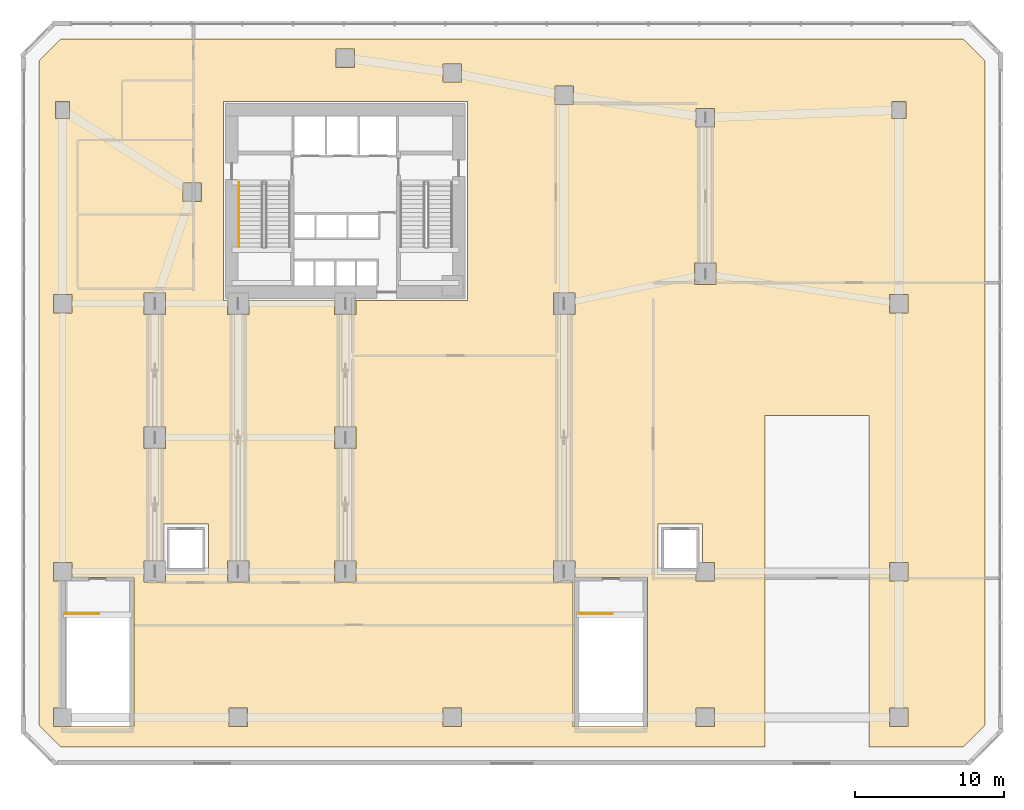
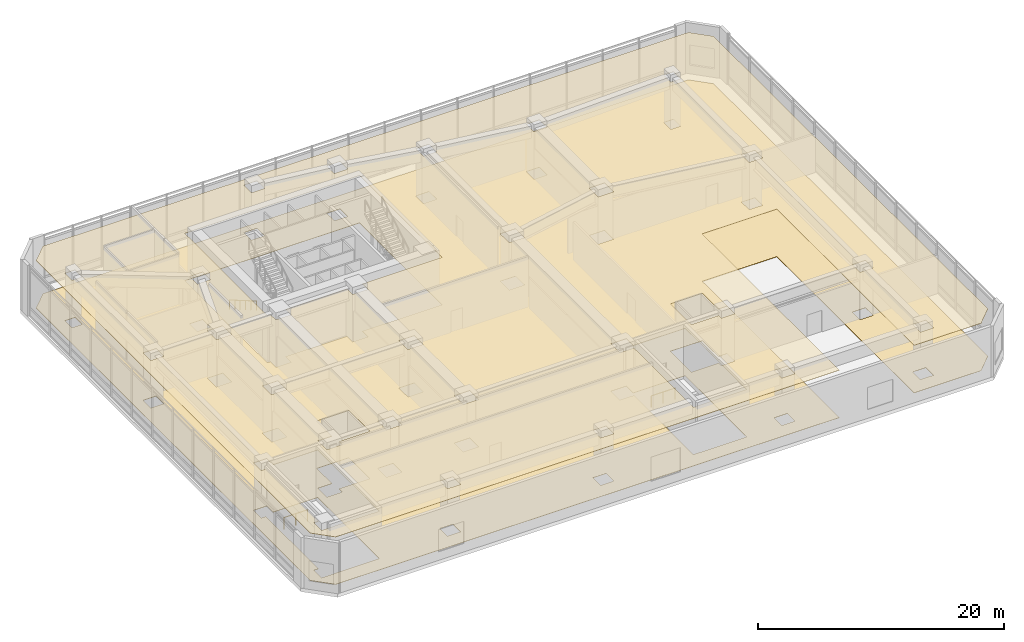
# One storey, part 20 of 21: 3 railings, 2 coverings.
"""IFC4 building model written with IfcOpenShell, lengths in metres."""

from ifc_helpers import new_model, si_unit, direction, frame, origin, origin_2d, place, context, subcontext, project, spatial, polyline, circle, outline, extrude, material, layer, layer_set, type_object, element, save


model = new_model("IFC4")

# Units and contexts
model_context = context("Model", 3, precision=1e-05, world=origin(), true_north=direction((0.0, 1.0)))
body_context = subcontext(model_context, "Body", "Model", "MODEL_VIEW")
ifc_project = project(units=[si_unit("LENGTHUNIT", "METRE"), si_unit("AREAUNIT", "SQUARE_METRE"), si_unit("VOLUMEUNIT", "CUBIC_METRE"), si_unit("PLANEANGLEUNIT", "RADIAN"), si_unit("MASSUNIT", "GRAM", prefix="KILO")], contexts=[model_context])

# Site, building, storey
site_placement = place(None, origin())
site = spatial("IfcSite", under=ifc_project, at=site_placement, CompositionType="ELEMENT")
building_placement = place(site_placement, origin())
building = spatial("IfcBuilding", under=site, at=building_placement, Name="Calvemar Wedge Station Tower", CompositionType="ELEMENT")
storey_placement = place(building_placement, frame((0.0, 0.0, 21.60009765625)))
storey = spatial("IfcBuildingStorey", under=building, at=storey_placement, Name="L05", CompositionType="ELEMENT", Elevation=21.60009765625)

# Coverings
ifc_material_1 = material(Name="Acoustic mineral fibre ceiling board")
ifc_layer_1 = layer(ifc_material_1, 0.0400390625)
ifc_layer_set_1 = layer_set([ifc_layer_1], Name="Acoustic mineral fibre ceiling board")
covering_type_1 = type_object("IfcCoveringType", Name="COV-CEIL-ACOUSTIC", PredefinedType="CEILING", material=ifc_layer_set_1)
covering_1_placement = place(storey_placement, frame((0.0, 0.0, 4.699951171875)))
element("IfcCovering", 1, at=covering_1_placement, inside=storey, type_object=covering_type_1, Name="Storey L05 Acoustic Suspended Ceiling", PredefinedType="CEILING", context=body_context, shape_type="SweptSolid", body=[
    extrude(outline(polyline([(65.302978515625, 50.800048828125), (4.697021484375, 50.800048828125), (3.199951171875, 49.302978515625), (3.199951171875, 4.697021484375), (4.697021484375, 3.199951171875), (52.0, 3.199951171875), (52.0, 25.5), (59.0, 25.5), (59.0, 3.199951171875), (65.302978515625, 3.199951171875), (66.800048828125, 4.697021484375), (66.800048828125, 49.302978515625), (65.302978515625, 50.800048828125)]), holes=[polyline([(15.60009765625, 46.60009765625), (32.0, 46.60009765625), (32.0, 33.199951171875), (24.52001953125, 33.199951171875), (24.52001953125, 32.280029296875), (23.080078125, 32.280029296875), (23.080078125, 33.199951171875), (17.320068359375, 33.199951171875), (17.320068359375, 32.280029296875), (15.8798828125, 32.280029296875), (15.8798828125, 33.199951171875), (15.60009765625, 33.199951171875), (15.60009765625, 46.60009765625)]), polyline([(4.60009765625, 14.3798828125), (4.179931640625, 14.3798828125), (4.179931640625, 15.6201171875), (5.419921875, 15.6201171875), (5.419921875, 14.60009765625), (9.60009765625, 14.60009765625), (9.60009765625, 4.60009765625), (5.419921875, 4.60009765625), (5.419921875, 4.580078125), (4.179931640625, 4.580078125), (4.179931640625, 5.820068359375), (4.60009765625, 5.820068359375), (4.60009765625, 14.3798828125)]), polyline([(39.219970703125, 14.60009765625), (44.10009765625, 14.60009765625), (44.10009765625, 4.60009765625), (39.10009765625, 4.60009765625), (39.10009765625, 14.280029296875), (37.780029296875, 14.280029296875), (37.780029296875, 15.719970703125), (39.219970703125, 15.719970703125), (39.219970703125, 14.60009765625)]), polyline([(11.719970703125, 14.280029296875), (10.280029296875, 14.280029296875), (10.280029296875, 15.719970703125), (11.60009765625, 15.719970703125), (11.60009765625, 18.199951171875), (14.60009765625, 18.199951171875), (14.60009765625, 14.800048828125), (11.719970703125, 14.800048828125), (11.719970703125, 14.280029296875)]), polyline([(44.800048828125, 14.800048828125), (44.800048828125, 18.199951171875), (47.800048828125, 18.199951171875), (47.800048828125, 15.6201171875), (48.6201171875, 15.6201171875), (48.6201171875, 14.3798828125), (47.3798828125, 14.3798828125), (47.3798828125, 14.800048828125), (44.800048828125, 14.800048828125)]), polyline([(15.97998046875, 5.820068359375), (17.219970703125, 5.820068359375), (17.219970703125, 4.580078125), (15.97998046875, 4.580078125), (15.97998046875, 5.820068359375)]), polyline([(31.6201171875, 5.820068359375), (31.6201171875, 4.580078125), (30.3798828125, 4.580078125), (30.3798828125, 5.820068359375), (31.6201171875, 5.820068359375)]), polyline([(48.6201171875, 4.580078125), (47.3798828125, 4.580078125), (47.3798828125, 5.820068359375), (48.6201171875, 5.820068359375), (48.6201171875, 4.580078125)]), polyline([(60.3798828125, 4.580078125), (60.3798828125, 5.820068359375), (61.6201171875, 5.820068359375), (61.6201171875, 4.580078125), (60.3798828125, 4.580078125)]), polyline([(17.320068359375, 14.280029296875), (15.8798828125, 14.280029296875), (15.8798828125, 15.719970703125), (17.320068359375, 15.719970703125), (17.320068359375, 14.280029296875)]), polyline([(23.080078125, 14.280029296875), (23.080078125, 15.719970703125), (24.52001953125, 15.719970703125), (24.52001953125, 14.280029296875), (23.080078125, 14.280029296875)]), polyline([(61.6201171875, 14.3798828125), (60.3798828125, 14.3798828125), (60.3798828125, 15.6201171875), (61.6201171875, 15.6201171875), (61.6201171875, 14.3798828125)]), polyline([(10.280029296875, 23.280029296875), (10.280029296875, 24.719970703125), (11.719970703125, 24.719970703125), (11.719970703125, 23.280029296875), (10.280029296875, 23.280029296875)]), polyline([(23.080078125, 24.719970703125), (24.52001953125, 24.719970703125), (24.52001953125, 23.280029296875), (23.080078125, 23.280029296875), (23.080078125, 24.719970703125)]), polyline([(5.419921875, 33.6201171875), (5.419921875, 32.3798828125), (4.179931640625, 32.3798828125), (4.179931640625, 33.6201171875), (5.419921875, 33.6201171875)]), polyline([(11.719970703125, 32.280029296875), (10.280029296875, 32.280029296875), (10.280029296875, 33.719970703125), (11.719970703125, 33.719970703125), (11.719970703125, 32.280029296875)]), polyline([(39.219970703125, 33.719970703125), (39.219970703125, 32.280029296875), (37.780029296875, 32.280029296875), (37.780029296875, 33.719970703125), (39.219970703125, 33.719970703125)]), polyline([(48.719970703125, 34.280029296875), (47.280029296875, 34.280029296875), (47.280029296875, 35.719970703125), (48.719970703125, 35.719970703125), (48.719970703125, 34.280029296875)]), polyline([(60.3798828125, 32.3798828125), (60.3798828125, 33.6201171875), (61.6201171875, 33.6201171875), (61.6201171875, 32.3798828125), (60.3798828125, 32.3798828125)]), polyline([(4.330078125, 46.570068359375), (5.27001953125, 46.570068359375), (5.27001953125, 45.429931640625), (4.330078125, 45.429931640625), (4.330078125, 46.570068359375)]), polyline([(14.1201171875, 41.1201171875), (14.1201171875, 39.8798828125), (12.8798828125, 39.8798828125), (12.8798828125, 41.1201171875), (14.1201171875, 41.1201171875)]), polyline([(24.419921875, 48.8798828125), (23.179931640625, 48.8798828125), (23.179931640625, 50.1201171875), (24.419921875, 50.1201171875), (24.419921875, 48.8798828125)]), polyline([(30.3798828125, 47.8798828125), (30.3798828125, 49.1201171875), (31.6201171875, 49.1201171875), (31.6201171875, 47.8798828125), (30.3798828125, 47.8798828125)]), polyline([(37.8798828125, 47.6201171875), (39.1201171875, 47.6201171875), (39.1201171875, 46.3798828125), (37.8798828125, 46.3798828125), (37.8798828125, 47.6201171875)]), polyline([(48.6201171875, 46.1201171875), (48.6201171875, 44.8798828125), (47.3798828125, 44.8798828125), (47.3798828125, 46.1201171875), (48.6201171875, 46.1201171875)]), polyline([(61.469970703125, 45.429931640625), (60.530029296875, 45.429931640625), (60.530029296875, 46.570068359375), (61.469970703125, 46.570068359375), (61.469970703125, 45.429931640625)])]), origin(), (0.0, 0.0, 1.0), 0.0400390625),
])
ifc_material_2 = material(Name="Commercial raised access floor")
ifc_layer_2 = layer(ifc_material_2, 0.030029296875)
ifc_layer_set_2 = layer_set([ifc_layer_2], Name="Commercial raised access floor")
covering_type_2 = type_object("IfcCoveringType", Name="COV-FLR-RAISED", PredefinedType="FLOORING", material=ifc_layer_set_2)
covering_2_placement = place(storey_placement, origin())
element("IfcCovering", 2, at=covering_2_placement, inside=storey, type_object=covering_type_2, Name="Storey L05 Architectural Floor Finish", PredefinedType="FLOORING", context=body_context, shape_type="SweptSolid", body=[
    extrude(outline(polyline([(65.302978515625, 50.800048828125), (4.697021484375, 50.800048828125), (3.199951171875, 49.302978515625), (3.199951171875, 4.697021484375), (4.697021484375, 3.199951171875), (52.0, 3.199951171875), (52.0, 25.5), (59.0, 25.5), (59.0, 3.199951171875), (65.302978515625, 3.199951171875), (66.800048828125, 4.697021484375), (66.800048828125, 49.302978515625), (65.302978515625, 50.800048828125)]), holes=[polyline([(15.60009765625, 46.60009765625), (32.0, 46.60009765625), (32.0, 33.199951171875), (24.52001953125, 33.199951171875), (24.52001953125, 32.280029296875), (23.080078125, 32.280029296875), (23.080078125, 33.199951171875), (17.320068359375, 33.199951171875), (17.320068359375, 32.280029296875), (15.8798828125, 32.280029296875), (15.8798828125, 33.199951171875), (15.60009765625, 33.199951171875), (15.60009765625, 46.60009765625)]), polyline([(4.60009765625, 14.3798828125), (4.179931640625, 14.3798828125), (4.179931640625, 15.6201171875), (5.419921875, 15.6201171875), (5.419921875, 14.60009765625), (9.60009765625, 14.60009765625), (9.60009765625, 4.60009765625), (5.419921875, 4.60009765625), (5.419921875, 4.580078125), (4.179931640625, 4.580078125), (4.179931640625, 5.820068359375), (4.60009765625, 5.820068359375), (4.60009765625, 14.3798828125)]), polyline([(39.219970703125, 14.60009765625), (44.10009765625, 14.60009765625), (44.10009765625, 4.60009765625), (39.10009765625, 4.60009765625), (39.10009765625, 14.280029296875), (37.780029296875, 14.280029296875), (37.780029296875, 15.719970703125), (39.219970703125, 15.719970703125), (39.219970703125, 14.60009765625)]), polyline([(11.719970703125, 14.280029296875), (10.280029296875, 14.280029296875), (10.280029296875, 15.719970703125), (11.60009765625, 15.719970703125), (11.60009765625, 18.199951171875), (14.60009765625, 18.199951171875), (14.60009765625, 14.800048828125), (11.719970703125, 14.800048828125), (11.719970703125, 14.280029296875)]), polyline([(44.800048828125, 14.800048828125), (44.800048828125, 18.199951171875), (47.800048828125, 18.199951171875), (47.800048828125, 15.6201171875), (48.6201171875, 15.6201171875), (48.6201171875, 14.3798828125), (47.3798828125, 14.3798828125), (47.3798828125, 14.800048828125), (44.800048828125, 14.800048828125)]), polyline([(15.97998046875, 5.820068359375), (17.219970703125, 5.820068359375), (17.219970703125, 4.580078125), (15.97998046875, 4.580078125), (15.97998046875, 5.820068359375)]), polyline([(31.6201171875, 5.820068359375), (31.6201171875, 4.580078125), (30.3798828125, 4.580078125), (30.3798828125, 5.820068359375), (31.6201171875, 5.820068359375)]), polyline([(48.6201171875, 4.580078125), (47.3798828125, 4.580078125), (47.3798828125, 5.820068359375), (48.6201171875, 5.820068359375), (48.6201171875, 4.580078125)]), polyline([(60.3798828125, 4.580078125), (60.3798828125, 5.820068359375), (61.6201171875, 5.820068359375), (61.6201171875, 4.580078125), (60.3798828125, 4.580078125)]), polyline([(17.320068359375, 14.280029296875), (15.8798828125, 14.280029296875), (15.8798828125, 15.719970703125), (17.320068359375, 15.719970703125), (17.320068359375, 14.280029296875)]), polyline([(23.080078125, 14.280029296875), (23.080078125, 15.719970703125), (24.52001953125, 15.719970703125), (24.52001953125, 14.280029296875), (23.080078125, 14.280029296875)]), polyline([(61.6201171875, 14.3798828125), (60.3798828125, 14.3798828125), (60.3798828125, 15.6201171875), (61.6201171875, 15.6201171875), (61.6201171875, 14.3798828125)]), polyline([(10.280029296875, 23.280029296875), (10.280029296875, 24.719970703125), (11.719970703125, 24.719970703125), (11.719970703125, 23.280029296875), (10.280029296875, 23.280029296875)]), polyline([(23.080078125, 24.719970703125), (24.52001953125, 24.719970703125), (24.52001953125, 23.280029296875), (23.080078125, 23.280029296875), (23.080078125, 24.719970703125)]), polyline([(5.419921875, 33.6201171875), (5.419921875, 32.3798828125), (4.179931640625, 32.3798828125), (4.179931640625, 33.6201171875), (5.419921875, 33.6201171875)]), polyline([(11.719970703125, 32.280029296875), (10.280029296875, 32.280029296875), (10.280029296875, 33.719970703125), (11.719970703125, 33.719970703125), (11.719970703125, 32.280029296875)]), polyline([(39.219970703125, 33.719970703125), (39.219970703125, 32.280029296875), (37.780029296875, 32.280029296875), (37.780029296875, 33.719970703125), (39.219970703125, 33.719970703125)]), polyline([(48.719970703125, 34.280029296875), (47.280029296875, 34.280029296875), (47.280029296875, 35.719970703125), (48.719970703125, 35.719970703125), (48.719970703125, 34.280029296875)]), polyline([(60.3798828125, 32.3798828125), (60.3798828125, 33.6201171875), (61.6201171875, 33.6201171875), (61.6201171875, 32.3798828125), (60.3798828125, 32.3798828125)]), polyline([(4.330078125, 46.570068359375), (5.27001953125, 46.570068359375), (5.27001953125, 45.429931640625), (4.330078125, 45.429931640625), (4.330078125, 46.570068359375)]), polyline([(14.1201171875, 41.1201171875), (14.1201171875, 39.8798828125), (12.8798828125, 39.8798828125), (12.8798828125, 41.1201171875), (14.1201171875, 41.1201171875)]), polyline([(24.419921875, 48.8798828125), (23.179931640625, 48.8798828125), (23.179931640625, 50.1201171875), (24.419921875, 50.1201171875), (24.419921875, 48.8798828125)]), polyline([(30.3798828125, 47.8798828125), (30.3798828125, 49.1201171875), (31.6201171875, 49.1201171875), (31.6201171875, 47.8798828125), (30.3798828125, 47.8798828125)]), polyline([(37.8798828125, 47.6201171875), (39.1201171875, 47.6201171875), (39.1201171875, 46.3798828125), (37.8798828125, 46.3798828125), (37.8798828125, 47.6201171875)]), polyline([(48.6201171875, 46.1201171875), (48.6201171875, 44.8798828125), (47.3798828125, 44.8798828125), (47.3798828125, 46.1201171875), (48.6201171875, 46.1201171875)]), polyline([(61.469970703125, 45.429931640625), (60.530029296875, 45.429931640625), (60.530029296875, 46.570068359375), (61.469970703125, 46.570068359375), (61.469970703125, 45.429931640625)])]), origin(), (0.0, 0.0, 1.0), 0.02978515625),
])

# Railings
ifc_material_3 = material(Name="Stainless steel AISI 316L", Category="steel")
railing_type_1 = type_object("IfcRailingType", Name="RL-HANDRAIL-920", PredefinedType="HANDRAIL", material=ifc_material_3)
railing_placement = place(storey_placement, frame((16.64990234375, 41.14990234375, 0.168701171875)))
element("IfcRailing", 3, at=railing_placement, inside=storey, type_object=railing_type_1, Name="L05 ST-C1 stair handrail 1", PredefinedType="HANDRAIL", context=body_context, shape_type="SweptSolid", body=[
    extrude(circle(Radius=0.02392578125, at=origin_2d()), frame((0.0, 0.0, 0.89599609375), z_axis=(0.0, -0.864311530196, 0.502956835891), x_axis=(1.0, 0.0, 0.0)), (0.0, 0.0, 1.0), 5.03271484375),
    extrude(circle(Radius=0.02099609375, at=origin_2d()), origin(), (0.0, 0.0, 1.0), 0.871826171875),
    extrude(circle(Radius=0.02099609375, at=origin_2d()), frame((0.0, -0.869873046875, 0.50634765625)), (0.0, 0.0, 1.0), 0.871826171875),
    extrude(circle(Radius=0.02099609375, at=origin_2d()), frame((0.0, -1.739990234375, 1.012451171875)), (0.0, 0.0, 1.0), 0.871826171875),
    extrude(circle(Radius=0.02099609375, at=origin_2d()), frame((0.0, -2.60986328125, 1.518798828125)), (0.0, 0.0, 1.0), 0.871826171875),
    extrude(circle(Radius=0.02099609375, at=origin_2d()), frame((0.0, -3.47998046875, 2.02490234375)), (0.0, 0.0, 1.0), 0.871826171875),
    extrude(circle(Radius=0.02099609375, at=origin_2d()), frame((0.0, -4.349853515625, 2.53125)), (0.0, 0.0, 1.0), 0.871826171875),
])
ifc_material_4 = material(Name="Painted steel guardrail ASTM A500 Grade C", Category="steel")
railing_type_2 = type_object("IfcRailingType", Name="RL-STAIR-GUARD-1150", PredefinedType="GUARDRAIL", material=ifc_material_4)
for number, where, name in (
    (4, (5.0, 12.14990234375, 0.0), "L05 ST-P1 top well guard 1"),
    (5, (39.5, 12.14990234375, 0.0), "L05 ST-P2 top well guard 1"),
):
    element("IfcRailing", number, at=place(storey_placement, frame(where)), inside=storey, type_object=railing_type_2, Name=name, PredefinedType="GUARDRAIL", context=body_context, shape_type="SweptSolid", body=[
        extrude(circle(Radius=0.02392578125, at=origin_2d()), frame((0.0, 0.0, 1.1259765625), z_axis=(1.0, 0.0, 0.0), x_axis=(0.0, 1.0, 0.0)), (0.0, 0.0, 1.0), 2.25),
        extrude(circle(Radius=0.02099609375, at=origin_2d()), origin(), (0.0, 0.0, 1.0), 1.101806640625),
        extrude(circle(Radius=0.02099609375, at=origin_2d()), frame((1.125, 0.0, 0.0)), (0.0, 0.0, 1.0), 1.101806640625),
        extrude(circle(Radius=0.02099609375, at=origin_2d()), frame((2.25, 0.0, 0.0)), (0.0, 0.0, 1.0), 1.101806640625),
    ])

save(model, "model.ifc")
